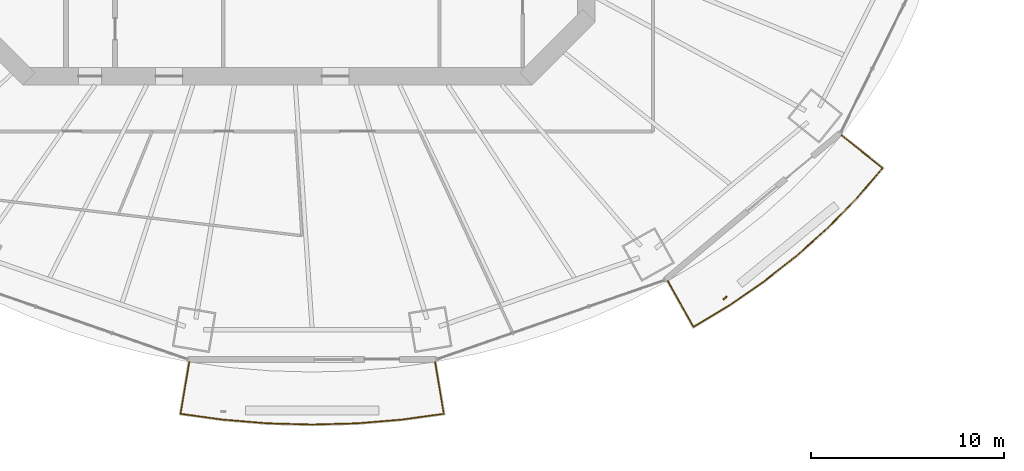
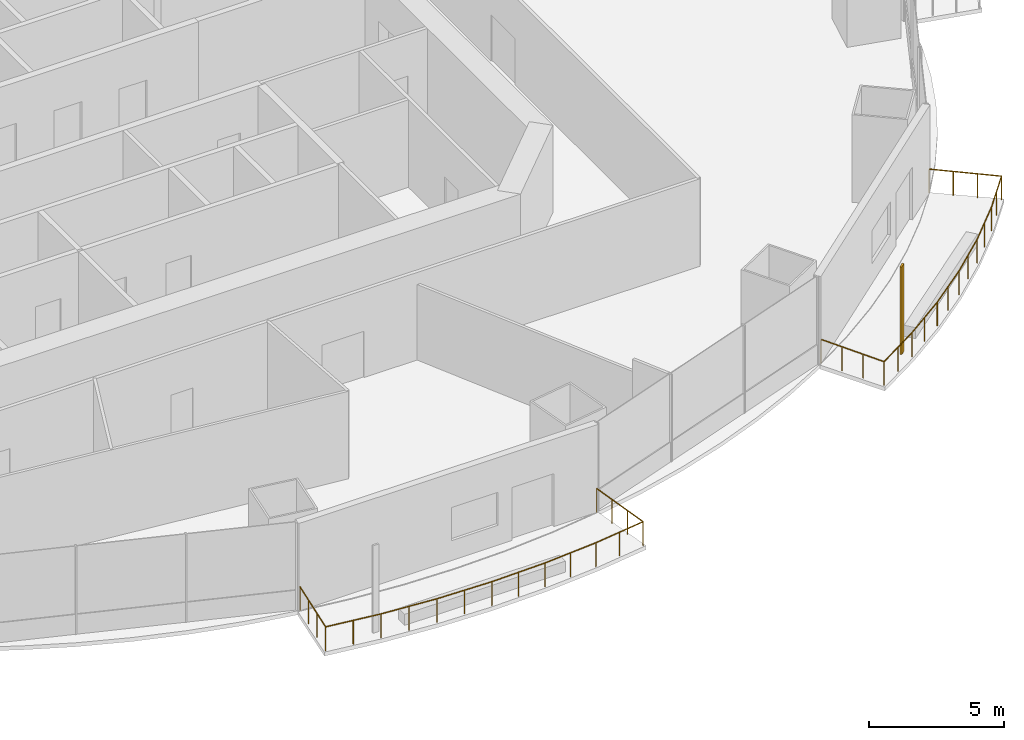
# One storey, part 17 of 21: 2 railings, 1 shading device.
"""IFC4 building model written with IfcOpenShell, lengths in metres."""

from ifc_helpers import new_model, si_unit, direction, frame, origin, origin_2d, place, context, subcontext, project, spatial, rectangle, circle, extrude, material, material_profile, profile_set, type_object, element, save


model = new_model("IFC4")

# Units and contexts
model_context = context("Model", 3, precision=1e-05, world=origin(), true_north=direction((0.0, 1.0)))
body_context = subcontext(model_context, "Body", "Model", "MODEL_VIEW")
ifc_project = project(units=[si_unit("LENGTHUNIT", "METRE"), si_unit("AREAUNIT", "SQUARE_METRE"), si_unit("VOLUMEUNIT", "CUBIC_METRE"), si_unit("PLANEANGLEUNIT", "RADIAN"), si_unit("MASSUNIT", "GRAM", prefix="KILO")], contexts=[model_context])

# Site, building, storey
site_placement = place(None, origin())
site = spatial("IfcSite", under=ifc_project, at=site_placement, CompositionType="ELEMENT")
building_placement = place(site_placement, origin())
building = spatial("IfcBuilding", under=site, at=building_placement, Name="Marenthal Gate Tower", CompositionType="ELEMENT")
storey_placement = place(building_placement, frame((0.0, 0.0, 165.199951171875)))
storey = spatial("IfcBuildingStorey", under=building, at=storey_placement, Name="L35", CompositionType="ELEMENT", Elevation=165.199951171875)

# Railings
ifc_material_1 = material(Name="Stainless steel", Category="steel")
railing_type = type_object("IfcRailingType", Name="Balcony guard 1100", PredefinedType="GUARDRAIL", material=ifc_material_1)
railing_1_placement = place(storey_placement, frame((8.162841796875, -27.792724609375, 0.0)))
element("IfcRailing", 1, at=railing_1_placement, inside=storey, type_object=railing_type, Name="Balcony guard L35 bay 12", PredefinedType="GUARDRAIL", context=body_context, shape_type="SweptSolid", body=[
    extrude(circle(Radius=0.02392578125, at=origin_2d()), frame((0.0, 0.0, 1.076171875), z_axis=(0.164774109377, -0.986221507592, -0.014718384498), x_axis=(0.986328347949, 0.164791959854, 0.0)), (0.0, 0.0, 1.0), 2.720458984375),
    extrude(circle(Radius=0.02392578125, at=origin_2d()), frame((0.4482421875, -2.682861328125, 1.0361328125), z_axis=(-0.990684581728, -0.136176574808, 0.0), x_axis=(0.136176574808, -0.990684581728, 0.0)), (0.0, 0.0, 1.0), 2.22314453125),
    extrude(circle(Radius=0.02392578125, at=origin_2d()), frame((-1.754150390625, -2.985595703125, 1.0361328125), z_axis=(-0.996597373324, -0.082423755581, 0.0), x_axis=(0.082423755581, -0.996597373324, 0.0)), (0.0, 0.0, 1.0), 2.307373046875),
    extrude(circle(Radius=0.02392578125, at=origin_2d()), frame((-4.0537109375, -3.17578125, 1.0361328125), z_axis=(-0.999622365191, -0.027479574429, 0.0), x_axis=(0.027479574429, -0.999622365191, 0.0)), (0.0, 0.0, 1.0), 2.31005859375),
    extrude(circle(Radius=0.02392578125, at=origin_2d()), frame((-6.36279296875, -3.2392578125, 1.0361328125), z_axis=(-0.999622365191, 0.027479574429, 0.0), x_axis=(-0.027479574429, -0.999622365191, 0.0)), (0.0, 0.0, 1.0), 2.31005859375),
    extrude(circle(Radius=0.02392578125, at=origin_2d()), frame((-8.671875, -3.17578125, 1.0361328125), z_axis=(-0.996598092029, 0.082415065148, 0.0), x_axis=(-0.082415065148, -0.996598092029, 0.0)), (0.0, 0.0, 1.0), 2.3076171875),
    extrude(circle(Radius=0.02392578125, at=origin_2d()), frame((-10.9716796875, -2.985595703125, 1.0361328125), z_axis=(-0.99068254489, 0.13619139198, 0.0), x_axis=(-0.13619139198, -0.99068254489, 0.0)), (0.0, 0.0, 1.0), 2.222900390625),
    extrude(circle(Radius=0.02392578125, at=origin_2d()), frame((-13.173828125, -2.682861328125, 1.0361328125), z_axis=(0.164774109377, 0.986221507592, 0.014718384498), x_axis=(-0.986328347949, 0.164791959854, 0.0)), (0.0, 0.0, 1.0), 2.720458984375),
    extrude(circle(Radius=0.02099609375, at=origin_2d()), origin(), (0.0, 0.0, 1.0), 1.052001953125),
    extrude(circle(Radius=0.02099609375, at=origin_2d()), frame((0.1494140625, -0.894287109375, -0.013427734375)), (0.0, 0.0, 1.0), 1.052001953125),
    extrude(circle(Radius=0.02099609375, at=origin_2d()), frame((0.298828125, -1.78857421875, -0.026611328125)), (0.0, 0.0, 1.0), 1.052001953125),
    extrude(circle(Radius=0.02099609375, at=origin_2d()), frame((0.4482421875, -2.682861328125, -0.0400390625)), (0.0, 0.0, 1.0), 1.052001953125),
    extrude(circle(Radius=0.02099609375, at=origin_2d()), frame((-0.65283203125, -2.834228515625, -0.0400390625)), (0.0, 0.0, 1.0), 1.052001953125),
    extrude(circle(Radius=0.02099609375, at=origin_2d()), frame((-1.754150390625, -2.985595703125, -0.0400390625)), (0.0, 0.0, 1.0), 1.052001953125),
    extrude(circle(Radius=0.02099609375, at=origin_2d()), frame((-2.90380859375, -3.08056640625, -0.0400390625)), (0.0, 0.0, 1.0), 1.052001953125),
    extrude(circle(Radius=0.02099609375, at=origin_2d()), frame((-4.0537109375, -3.17578125, -0.0400390625)), (0.0, 0.0, 1.0), 1.052001953125),
    extrude(circle(Radius=0.02099609375, at=origin_2d()), frame((-5.208251953125, -3.20751953125, -0.0400390625)), (0.0, 0.0, 1.0), 1.052001953125),
    extrude(circle(Radius=0.02099609375, at=origin_2d()), frame((-6.36279296875, -3.2392578125, -0.0400390625)), (0.0, 0.0, 1.0), 1.052001953125),
    extrude(circle(Radius=0.02099609375, at=origin_2d()), frame((-7.517333984375, -3.20751953125, -0.0400390625)), (0.0, 0.0, 1.0), 1.052001953125),
    extrude(circle(Radius=0.02099609375, at=origin_2d()), frame((-8.671875, -3.17578125, -0.0400390625)), (0.0, 0.0, 1.0), 1.052001953125),
    extrude(circle(Radius=0.02099609375, at=origin_2d()), frame((-9.82177734375, -3.08056640625, -0.0400390625)), (0.0, 0.0, 1.0), 1.052001953125),
    extrude(circle(Radius=0.02099609375, at=origin_2d()), frame((-10.9716796875, -2.985595703125, -0.0400390625)), (0.0, 0.0, 1.0), 1.052001953125),
    extrude(circle(Radius=0.02099609375, at=origin_2d()), frame((-12.07275390625, -2.834228515625, -0.0400390625)), (0.0, 0.0, 1.0), 1.052001953125),
    extrude(circle(Radius=0.02099609375, at=origin_2d()), frame((-13.173828125, -2.682861328125, -0.0400390625)), (0.0, 0.0, 1.0), 1.052001953125),
    extrude(circle(Radius=0.02099609375, at=origin_2d()), frame((-13.0244140625, -1.78857421875, -0.026611328125)), (0.0, 0.0, 1.0), 1.052001953125),
    extrude(circle(Radius=0.02099609375, at=origin_2d()), frame((-12.875, -0.894287109375, -0.013427734375)), (0.0, 0.0, 1.0), 1.052001953125),
    extrude(circle(Radius=0.02099609375, at=origin_2d()), frame((-12.7255859375, 0.0, 0.0)), (0.0, 0.0, 1.0), 1.052001953125),
])
railing_2_placement = place(storey_placement, frame((29.20458984375, -16.05859375, 0.0)))
element("IfcRailing", 2, at=railing_2_placement, inside=storey, type_object=railing_type, Name="Balcony guard L35 bay 14", PredefinedType="GUARDRAIL", context=body_context, shape_type="SweptSolid", body=[
    extrude(circle(Radius=0.02392578125, at=origin_2d()), frame((0.0, 0.0, 1.076171875), z_axis=(0.782541115897, -0.622424892619, -0.014719204382), x_axis=(0.622492329303, 0.782625900388, 0.0)), (0.0, 0.0, 1.0), 2.72021484375),
    extrude(circle(Radius=0.02392578125, at=origin_2d()), frame((2.128662109375, -1.693115234375, 1.0361328125), z_axis=(-0.650348633752, -0.759635869727, 0.0), x_axis=(0.759635869727, -0.650348633752, 0.0)), (0.0, 0.0, 1.0), 2.0439453125),
    extrude(circle(Radius=0.02392578125, at=origin_2d()), frame((0.79931640625, -3.245849609375, 1.0361328125), z_axis=(-0.69902569002, -0.715096556202, 0.0), x_axis=(0.715096556202, -0.69902569002, 0.0)), (0.0, 0.0, 1.0), 2.14208984375),
    extrude(circle(Radius=0.02392578125, at=origin_2d()), frame((-0.697998046875, -4.777587890625, 1.0361328125), z_axis=(-0.744747583636, -0.667346264445, 0.0), x_axis=(0.667346264445, -0.744747583636, 0.0)), (0.0, 0.0, 1.0), 2.16064453125),
    extrude(circle(Radius=0.02392578125, at=origin_2d()), frame((-2.30712890625, -6.219482421875, 1.0361328125), z_axis=(-0.786162827468, -0.618019424215, 0.0), x_axis=(0.618019424215, -0.786162827468, 0.0)), (0.0, 0.0, 1.0), 2.179443359375),
    extrude(circle(Radius=0.02392578125, at=origin_2d()), frame((-4.0205078125, -7.56640625, 1.0361328125), z_axis=(-0.823545660097, -0.567249985223, 0.0), x_axis=(0.567249985223, -0.823545660097, 0.0)), (0.0, 0.0, 1.0), 2.197509765625),
    extrude(circle(Radius=0.02392578125, at=origin_2d()), frame((-5.830322265625, -8.81298828125, 1.0361328125), z_axis=(-0.856310567602, -0.516461239411, 0.0), x_axis=(0.516461239411, -0.856310567602, 0.0)), (0.0, 0.0, 1.0), 2.1357421875),
    extrude(circle(Radius=0.02392578125, at=origin_2d()), frame((-7.6591796875, -9.916015625, 1.0361328125), z_axis=(-0.4893727887, 0.871950488724, 0.014717978608), x_axis=(-0.872044944545, -0.489425801009, 0.0)), (0.0, 0.0, 1.0), 2.720458984375),
    extrude(circle(Radius=0.02099609375, at=origin_2d()), origin(), (0.0, 0.0, 1.0), 1.052001953125),
    extrude(circle(Radius=0.02099609375, at=origin_2d()), frame((0.70947265625, -0.564453125, -0.013427734375)), (0.0, 0.0, 1.0), 1.052001953125),
    extrude(circle(Radius=0.02099609375, at=origin_2d()), frame((1.419189453125, -1.128662109375, -0.026611328125)), (0.0, 0.0, 1.0), 1.052001953125),
    extrude(circle(Radius=0.02099609375, at=origin_2d()), frame((2.128662109375, -1.693115234375, -0.0400390625)), (0.0, 0.0, 1.0), 1.052001953125),
    extrude(circle(Radius=0.02099609375, at=origin_2d()), frame((1.4638671875, -2.469482421875, -0.0400390625)), (0.0, 0.0, 1.0), 1.052001953125),
    extrude(circle(Radius=0.02099609375, at=origin_2d()), frame((0.79931640625, -3.245849609375, -0.0400390625)), (0.0, 0.0, 1.0), 1.052001953125),
    extrude(circle(Radius=0.02099609375, at=origin_2d()), frame((0.05078125, -4.01171875, -0.0400390625)), (0.0, 0.0, 1.0), 1.052001953125),
    extrude(circle(Radius=0.02099609375, at=origin_2d()), frame((-0.697998046875, -4.777587890625, -0.0400390625)), (0.0, 0.0, 1.0), 1.052001953125),
    extrude(circle(Radius=0.02099609375, at=origin_2d()), frame((-1.50244140625, -5.49853515625, -0.0400390625)), (0.0, 0.0, 1.0), 1.052001953125),
    extrude(circle(Radius=0.02099609375, at=origin_2d()), frame((-2.30712890625, -6.219482421875, -0.0400390625)), (0.0, 0.0, 1.0), 1.052001953125),
    extrude(circle(Radius=0.02099609375, at=origin_2d()), frame((-3.163818359375, -6.89306640625, -0.0400390625)), (0.0, 0.0, 1.0), 1.052001953125),
    extrude(circle(Radius=0.02099609375, at=origin_2d()), frame((-4.0205078125, -7.56640625, -0.0400390625)), (0.0, 0.0, 1.0), 1.052001953125),
    extrude(circle(Radius=0.02099609375, at=origin_2d()), frame((-4.92529296875, -8.189697265625, -0.0400390625)), (0.0, 0.0, 1.0), 1.052001953125),
    extrude(circle(Radius=0.02099609375, at=origin_2d()), frame((-5.830322265625, -8.81298828125, -0.0400390625)), (0.0, 0.0, 1.0), 1.052001953125),
    extrude(circle(Radius=0.02099609375, at=origin_2d()), frame((-6.74462890625, -9.364501953125, -0.0400390625)), (0.0, 0.0, 1.0), 1.052001953125),
    extrude(circle(Radius=0.02099609375, at=origin_2d()), frame((-7.6591796875, -9.916015625, -0.0400390625)), (0.0, 0.0, 1.0), 1.052001953125),
    extrude(circle(Radius=0.02099609375, at=origin_2d()), frame((-8.10302734375, -9.125244140625, -0.026611328125)), (0.0, 0.0, 1.0), 1.052001953125),
    extrude(circle(Radius=0.02099609375, at=origin_2d()), frame((-8.546630859375, -8.334716796875, -0.013427734375)), (0.0, 0.0, 1.0), 1.052001953125),
    extrude(circle(Radius=0.02099609375, at=origin_2d()), frame((-8.990478515625, -7.5439453125, 0.0)), (0.0, 0.0, 1.0), 1.052001953125),
])

# Shading device
ifc_material_2 = material(Name="Terracotta", Category="masonry")
ifc_material_profile = material_profile(ifc_material_2, rectangle(XDim=0.25, YDim=0.080078125, at=origin_2d()), Name="Terracotta baguette 250x80")
ifc_profile_set = profile_set([ifc_material_profile], Name="Terracotta")
shading_device_type = type_object("IfcShadingDeviceType", Name="Terracotta BAGUETTE SCREEN 250x80", PredefinedType="USERDEFINED", material=ifc_profile_set)
shading_device_placement = place(storey_placement, frame((23.17919921875, -24.473388671875, -0.0400390625), z_axis=(0.0, 0.0, 1.0), x_axis=(0.765921119211, 0.642934552771, 0.0)))
element("IfcShadingDevice", 3, at=shading_device_placement, inside=storey, type_object=shading_device_type, Name="Terracotta BAGUETTE L35 bay 14L", ObjectType="BAGUETTE SCREEN", PredefinedType="USERDEFINED", context=body_context, shape_type="SweptSolid", body=[
    extrude(rectangle(XDim=0.25, YDim=0.080078125, at=origin_2d()), origin(), (0.0, 0.0, 1.0), 3.969970703125),
])

save(model, "model.ifc")
